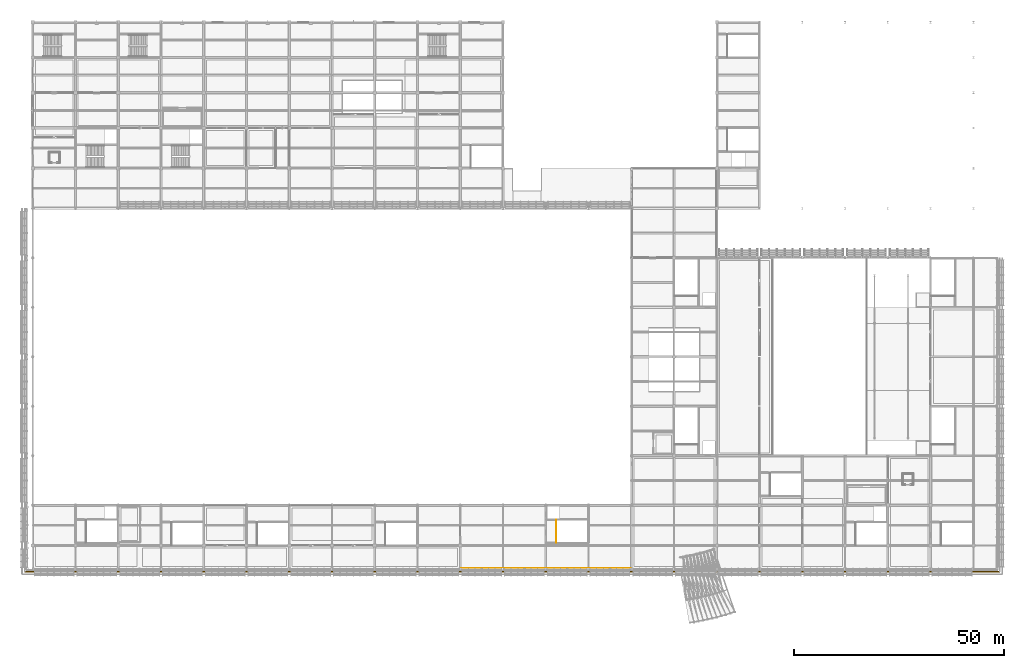
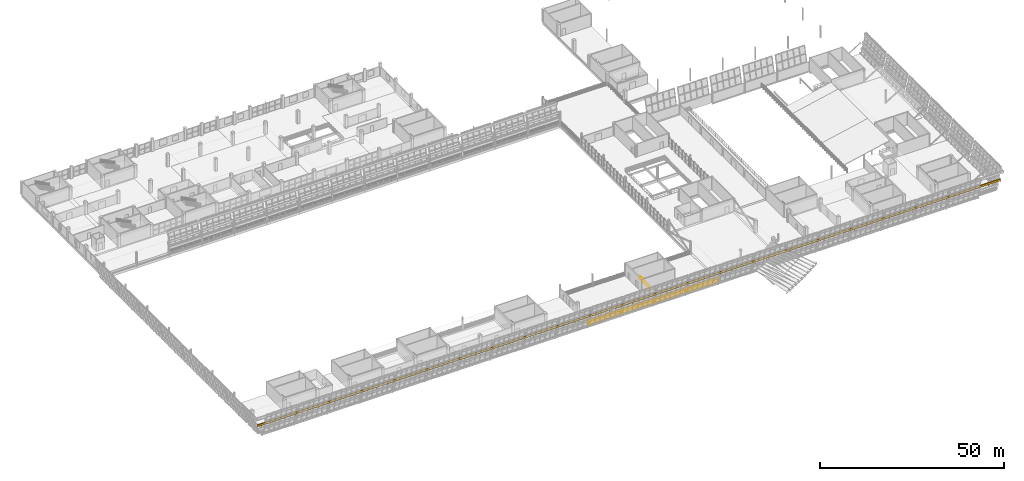
# One storey, part 147 of 157: 3 railings.
"""IFC4 building model written with IfcOpenShell, lengths in metres."""

from ifc_helpers import new_model, si_unit, direction, frame, origin, origin_2d, place, context, subcontext, project, spatial, rectangle, circle, extrude, material, type_object, element, save


model = new_model("IFC4")

# Units and contexts
model_context = context("Model", 3, precision=1e-05, world=origin(), true_north=direction((0.0, 1.0)))
body_context = subcontext(model_context, "Body", "Model", "MODEL_VIEW")
ifc_project = project(units=[si_unit("LENGTHUNIT", "METRE"), si_unit("AREAUNIT", "SQUARE_METRE"), si_unit("VOLUMEUNIT", "CUBIC_METRE"), si_unit("PLANEANGLEUNIT", "RADIAN"), si_unit("MASSUNIT", "GRAM", prefix="KILO")], contexts=[model_context])

# Site, building, storey
site_placement = place(None, origin())
site = spatial("IfcSite", under=ifc_project, at=site_placement, CompositionType="ELEMENT")
building_placement = place(site_placement, origin())
building = spatial("IfcBuilding", under=site, at=building_placement, Name="Brelvane Convention Centre", CompositionType="ELEMENT")
storey_placement = place(building_placement, frame((0.0, 0.0, 10.800048828125)))
storey = spatial("IfcBuildingStorey", under=building, at=storey_placement, Name="L02", CompositionType="ELEMENT", Elevation=10.800048828125)

# Railings
ifc_material_1 = material(Name="Steel E350 (350 MPa)", Category="steel")
railing_type_1 = type_object("IfcRailingType", Name="Railing BL-CU-1", PredefinedType="BALUSTRADE", material=ifc_material_1)
railing_1_placement = place(storey_placement, frame((-1.902099609375, 12.93798828125, 2.64990234375)))
element("IfcRailing", 1, at=railing_1_placement, inside=storey, type_object=railing_type_1, Name="Railing BL-CU-1 L02-cu_hull_s_5", PredefinedType="BALUSTRADE", context=body_context, shape_type="SweptSolid", body=[
    extrude(rectangle(XDim=0.280029296875, YDim=0.6201171875, at=origin_2d()), frame((0.0, 0.0, 0.81005859375), z_axis=(1.0, 0.0, 0.0), x_axis=(0.0, 1.0, 0.0)), (0.0, 0.0, 1.0), 232.564208984375),
    extrude(circle(Radius=0.02099609375, at=origin_2d()), origin(), (0.0, 0.0, 1.0), 1.072021484375),
    extrude(circle(Radius=0.02099609375, at=origin_2d()), frame((1.19873046875, 0.0, 0.0)), (0.0, 0.0, 1.0), 1.072021484375),
    extrude(circle(Radius=0.02099609375, at=origin_2d()), frame((2.3974609375, 0.0, 0.0)), (0.0, 0.0, 1.0), 1.072021484375),
    extrude(circle(Radius=0.02099609375, at=origin_2d()), frame((3.596435546875, 0.0, 0.0)), (0.0, 0.0, 1.0), 1.072021484375),
    extrude(circle(Radius=0.02099609375, at=origin_2d()), frame((4.795166015625, 0.0, 0.0)), (0.0, 0.0, 1.0), 1.072021484375),
    extrude(circle(Radius=0.02099609375, at=origin_2d()), frame((5.993896484375, 0.0, 0.0)), (0.0, 0.0, 1.0), 1.072021484375),
    extrude(circle(Radius=0.02099609375, at=origin_2d()), frame((7.192626953125, 0.0, 0.0)), (0.0, 0.0, 1.0), 1.072021484375),
    extrude(circle(Radius=0.02099609375, at=origin_2d()), frame((8.3916015625, 0.0, 0.0)), (0.0, 0.0, 1.0), 1.072021484375),
    extrude(circle(Radius=0.02099609375, at=origin_2d()), frame((9.59033203125, 0.0, 0.0)), (0.0, 0.0, 1.0), 1.072021484375),
    extrude(circle(Radius=0.02099609375, at=origin_2d()), frame((10.7890625, 0.0, 0.0)), (0.0, 0.0, 1.0), 1.072021484375),
    extrude(circle(Radius=0.02099609375, at=origin_2d()), frame((11.98779296875, 0.0, 0.0)), (0.0, 0.0, 1.0), 1.072021484375),
    extrude(circle(Radius=0.02099609375, at=origin_2d()), frame((13.1865234375, 0.0, 0.0)), (0.0, 0.0, 1.0), 1.072021484375),
    extrude(circle(Radius=0.02099609375, at=origin_2d()), frame((14.385498046875, 0.0, 0.0)), (0.0, 0.0, 1.0), 1.072021484375),
    extrude(circle(Radius=0.02099609375, at=origin_2d()), frame((15.584228515625, 0.0, 0.0)), (0.0, 0.0, 1.0), 1.072021484375),
    extrude(circle(Radius=0.02099609375, at=origin_2d()), frame((16.782958984375, 0.0, 0.0)), (0.0, 0.0, 1.0), 1.072021484375),
    extrude(circle(Radius=0.02099609375, at=origin_2d()), frame((17.981689453125, 0.0, 0.0)), (0.0, 0.0, 1.0), 1.072021484375),
    extrude(circle(Radius=0.02099609375, at=origin_2d()), frame((19.1806640625, 0.0, 0.0)), (0.0, 0.0, 1.0), 1.072021484375),
    extrude(circle(Radius=0.02099609375, at=origin_2d()), frame((20.37939453125, 0.0, 0.0)), (0.0, 0.0, 1.0), 1.072021484375),
    extrude(circle(Radius=0.02099609375, at=origin_2d()), frame((21.578125, 0.0, 0.0)), (0.0, 0.0, 1.0), 1.072021484375),
    extrude(circle(Radius=0.02099609375, at=origin_2d()), frame((22.77685546875, 0.0, 0.0)), (0.0, 0.0, 1.0), 1.072021484375),
    extrude(circle(Radius=0.02099609375, at=origin_2d()), frame((23.9755859375, 0.0, 0.0)), (0.0, 0.0, 1.0), 1.072021484375),
    extrude(circle(Radius=0.02099609375, at=origin_2d()), frame((25.174560546875, 0.0, 0.0)), (0.0, 0.0, 1.0), 1.072021484375),
    extrude(circle(Radius=0.02099609375, at=origin_2d()), frame((26.373291015625, 0.0, 0.0)), (0.0, 0.0, 1.0), 1.072021484375),
    extrude(circle(Radius=0.02099609375, at=origin_2d()), frame((27.572021484375, 0.0, 0.0)), (0.0, 0.0, 1.0), 1.072021484375),
    extrude(circle(Radius=0.02099609375, at=origin_2d()), frame((28.770751953125, 0.0, 0.0)), (0.0, 0.0, 1.0), 1.072021484375),
    extrude(circle(Radius=0.02099609375, at=origin_2d()), frame((29.9697265625, 0.0, 0.0)), (0.0, 0.0, 1.0), 1.072021484375),
    extrude(circle(Radius=0.02099609375, at=origin_2d()), frame((31.16845703125, 0.0, 0.0)), (0.0, 0.0, 1.0), 1.072021484375),
    extrude(circle(Radius=0.02099609375, at=origin_2d()), frame((32.3671875, 0.0, 0.0)), (0.0, 0.0, 1.0), 1.072021484375),
    extrude(circle(Radius=0.02099609375, at=origin_2d()), frame((33.56591796875, 0.0, 0.0)), (0.0, 0.0, 1.0), 1.072021484375),
    extrude(circle(Radius=0.02099609375, at=origin_2d()), frame((34.7646484375, 0.0, 0.0)), (0.0, 0.0, 1.0), 1.072021484375),
    extrude(circle(Radius=0.02099609375, at=origin_2d()), frame((35.963623046875, 0.0, 0.0)), (0.0, 0.0, 1.0), 1.072021484375),
    extrude(circle(Radius=0.02099609375, at=origin_2d()), frame((37.162353515625, 0.0, 0.0)), (0.0, 0.0, 1.0), 1.072021484375),
    extrude(circle(Radius=0.02099609375, at=origin_2d()), frame((38.361083984375, 0.0, 0.0)), (0.0, 0.0, 1.0), 1.072021484375),
    extrude(circle(Radius=0.02099609375, at=origin_2d()), frame((39.559814453125, 0.0, 0.0)), (0.0, 0.0, 1.0), 1.072021484375),
    extrude(circle(Radius=0.02099609375, at=origin_2d()), frame((40.7587890625, 0.0, 0.0)), (0.0, 0.0, 1.0), 1.072021484375),
    extrude(circle(Radius=0.02099609375, at=origin_2d()), frame((41.95751953125, 0.0, 0.0)), (0.0, 0.0, 1.0), 1.072021484375),
    extrude(circle(Radius=0.02099609375, at=origin_2d()), frame((43.15625, 0.0, 0.0)), (0.0, 0.0, 1.0), 1.072021484375),
    extrude(circle(Radius=0.02099609375, at=origin_2d()), frame((44.35498046875, 0.0, 0.0)), (0.0, 0.0, 1.0), 1.072021484375),
    extrude(circle(Radius=0.02099609375, at=origin_2d()), frame((45.5537109375, 0.0, 0.0)), (0.0, 0.0, 1.0), 1.072021484375),
    extrude(circle(Radius=0.02099609375, at=origin_2d()), frame((46.752685546875, 0.0, 0.0)), (0.0, 0.0, 1.0), 1.072021484375),
    extrude(circle(Radius=0.02099609375, at=origin_2d()), frame((47.951416015625, 0.0, 0.0)), (0.0, 0.0, 1.0), 1.072021484375),
    extrude(circle(Radius=0.02099609375, at=origin_2d()), frame((49.150146484375, 0.0, 0.0)), (0.0, 0.0, 1.0), 1.072021484375),
    extrude(circle(Radius=0.02099609375, at=origin_2d()), frame((50.348876953125, 0.0, 0.0)), (0.0, 0.0, 1.0), 1.072021484375),
    extrude(circle(Radius=0.02099609375, at=origin_2d()), frame((51.5478515625, 0.0, 0.0)), (0.0, 0.0, 1.0), 1.072021484375),
    extrude(circle(Radius=0.02099609375, at=origin_2d()), frame((52.74658203125, 0.0, 0.0)), (0.0, 0.0, 1.0), 1.072021484375),
    extrude(circle(Radius=0.02099609375, at=origin_2d()), frame((53.9453125, 0.0, 0.0)), (0.0, 0.0, 1.0), 1.072021484375),
    extrude(circle(Radius=0.02099609375, at=origin_2d()), frame((55.14404296875, 0.0, 0.0)), (0.0, 0.0, 1.0), 1.072021484375),
    extrude(circle(Radius=0.02099609375, at=origin_2d()), frame((56.3427734375, 0.0, 0.0)), (0.0, 0.0, 1.0), 1.072021484375),
    extrude(circle(Radius=0.02099609375, at=origin_2d()), frame((57.541748046875, 0.0, 0.0)), (0.0, 0.0, 1.0), 1.072021484375),
    extrude(circle(Radius=0.02099609375, at=origin_2d()), frame((58.740478515625, 0.0, 0.0)), (0.0, 0.0, 1.0), 1.072021484375),
    extrude(circle(Radius=0.02099609375, at=origin_2d()), frame((59.939208984375, 0.0, 0.0)), (0.0, 0.0, 1.0), 1.072021484375),
    extrude(circle(Radius=0.02099609375, at=origin_2d()), frame((61.137939453125, 0.0, 0.0)), (0.0, 0.0, 1.0), 1.072021484375),
    extrude(circle(Radius=0.02099609375, at=origin_2d()), frame((62.3369140625, 0.0, 0.0)), (0.0, 0.0, 1.0), 1.072021484375),
    extrude(circle(Radius=0.02099609375, at=origin_2d()), frame((63.53564453125, 0.0, 0.0)), (0.0, 0.0, 1.0), 1.072021484375),
    extrude(circle(Radius=0.02099609375, at=origin_2d()), frame((64.734375, 0.0, 0.0)), (0.0, 0.0, 1.0), 1.072021484375),
    extrude(circle(Radius=0.02099609375, at=origin_2d()), frame((65.93310546875, 0.0, 0.0)), (0.0, 0.0, 1.0), 1.072021484375),
    extrude(circle(Radius=0.02099609375, at=origin_2d()), frame((67.1318359375, 0.0, 0.0)), (0.0, 0.0, 1.0), 1.072021484375),
    extrude(circle(Radius=0.02099609375, at=origin_2d()), frame((68.330810546875, 0.0, 0.0)), (0.0, 0.0, 1.0), 1.072021484375),
    extrude(circle(Radius=0.02099609375, at=origin_2d()), frame((69.529541015625, 0.0, 0.0)), (0.0, 0.0, 1.0), 1.072021484375),
    extrude(circle(Radius=0.02099609375, at=origin_2d()), frame((70.728271484375, 0.0, 0.0)), (0.0, 0.0, 1.0), 1.072021484375),
    extrude(circle(Radius=0.02099609375, at=origin_2d()), frame((71.927001953125, 0.0, 0.0)), (0.0, 0.0, 1.0), 1.072021484375),
    extrude(circle(Radius=0.02099609375, at=origin_2d()), frame((73.1259765625, 0.0, 0.0)), (0.0, 0.0, 1.0), 1.072021484375),
    extrude(circle(Radius=0.02099609375, at=origin_2d()), frame((74.32470703125, 0.0, 0.0)), (0.0, 0.0, 1.0), 1.072021484375),
    extrude(circle(Radius=0.02099609375, at=origin_2d()), frame((75.5234375, 0.0, 0.0)), (0.0, 0.0, 1.0), 1.072021484375),
    extrude(circle(Radius=0.02099609375, at=origin_2d()), frame((76.72216796875, 0.0, 0.0)), (0.0, 0.0, 1.0), 1.072021484375),
    extrude(circle(Radius=0.02099609375, at=origin_2d()), frame((77.9208984375, 0.0, 0.0)), (0.0, 0.0, 1.0), 1.072021484375),
    extrude(circle(Radius=0.02099609375, at=origin_2d()), frame((79.119873046875, 0.0, 0.0)), (0.0, 0.0, 1.0), 1.072021484375),
    extrude(circle(Radius=0.02099609375, at=origin_2d()), frame((80.318603515625, 0.0, 0.0)), (0.0, 0.0, 1.0), 1.072021484375),
    extrude(circle(Radius=0.02099609375, at=origin_2d()), frame((81.517333984375, 0.0, 0.0)), (0.0, 0.0, 1.0), 1.072021484375),
    extrude(circle(Radius=0.02099609375, at=origin_2d()), frame((82.716064453125, 0.0, 0.0)), (0.0, 0.0, 1.0), 1.072021484375),
    extrude(circle(Radius=0.02099609375, at=origin_2d()), frame((83.9150390625, 0.0, 0.0)), (0.0, 0.0, 1.0), 1.072021484375),
    extrude(circle(Radius=0.02099609375, at=origin_2d()), frame((85.11376953125, 0.0, 0.0)), (0.0, 0.0, 1.0), 1.072021484375),
    extrude(circle(Radius=0.02099609375, at=origin_2d()), frame((86.3125, 0.0, 0.0)), (0.0, 0.0, 1.0), 1.072021484375),
    extrude(circle(Radius=0.02099609375, at=origin_2d()), frame((87.51123046875, 0.0, 0.0)), (0.0, 0.0, 1.0), 1.072021484375),
    extrude(circle(Radius=0.02099609375, at=origin_2d()), frame((88.7099609375, 0.0, 0.0)), (0.0, 0.0, 1.0), 1.072021484375),
    extrude(circle(Radius=0.02099609375, at=origin_2d()), frame((89.908935546875, 0.0, 0.0)), (0.0, 0.0, 1.0), 1.072021484375),
    extrude(circle(Radius=0.02099609375, at=origin_2d()), frame((91.107666015625, 0.0, 0.0)), (0.0, 0.0, 1.0), 1.072021484375),
    extrude(circle(Radius=0.02099609375, at=origin_2d()), frame((92.306396484375, 0.0, 0.0)), (0.0, 0.0, 1.0), 1.072021484375),
    extrude(circle(Radius=0.02099609375, at=origin_2d()), frame((93.505126953125, 0.0, 0.0)), (0.0, 0.0, 1.0), 1.072021484375),
    extrude(circle(Radius=0.02099609375, at=origin_2d()), frame((94.7041015625, 0.0, 0.0)), (0.0, 0.0, 1.0), 1.072021484375),
    extrude(circle(Radius=0.02099609375, at=origin_2d()), frame((95.90283203125, 0.0, 0.0)), (0.0, 0.0, 1.0), 1.072021484375),
    extrude(circle(Radius=0.02099609375, at=origin_2d()), frame((97.1015625, 0.0, 0.0)), (0.0, 0.0, 1.0), 1.072021484375),
    extrude(circle(Radius=0.02099609375, at=origin_2d()), frame((98.30029296875, 0.0, 0.0)), (0.0, 0.0, 1.0), 1.072021484375),
    extrude(circle(Radius=0.02099609375, at=origin_2d()), frame((99.4990234375, 0.0, 0.0)), (0.0, 0.0, 1.0), 1.072021484375),
    extrude(circle(Radius=0.02099609375, at=origin_2d()), frame((100.697998046875, 0.0, 0.0)), (0.0, 0.0, 1.0), 1.072021484375),
    extrude(circle(Radius=0.02099609375, at=origin_2d()), frame((101.896728515625, 0.0, 0.0)), (0.0, 0.0, 1.0), 1.072021484375),
    extrude(circle(Radius=0.02099609375, at=origin_2d()), frame((103.095458984375, 0.0, 0.0)), (0.0, 0.0, 1.0), 1.072021484375),
    extrude(circle(Radius=0.02099609375, at=origin_2d()), frame((104.294189453125, 0.0, 0.0)), (0.0, 0.0, 1.0), 1.072021484375),
    extrude(circle(Radius=0.02099609375, at=origin_2d()), frame((105.4931640625, 0.0, 0.0)), (0.0, 0.0, 1.0), 1.072021484375),
    extrude(circle(Radius=0.02099609375, at=origin_2d()), frame((106.69189453125, 0.0, 0.0)), (0.0, 0.0, 1.0), 1.072021484375),
    extrude(circle(Radius=0.02099609375, at=origin_2d()), frame((107.890625, 0.0, 0.0)), (0.0, 0.0, 1.0), 1.072021484375),
    extrude(circle(Radius=0.02099609375, at=origin_2d()), frame((109.08935546875, 0.0, 0.0)), (0.0, 0.0, 1.0), 1.072021484375),
    extrude(circle(Radius=0.02099609375, at=origin_2d()), frame((110.2880859375, 0.0, 0.0)), (0.0, 0.0, 1.0), 1.072021484375),
    extrude(circle(Radius=0.02099609375, at=origin_2d()), frame((111.487060546875, 0.0, 0.0)), (0.0, 0.0, 1.0), 1.072021484375),
    extrude(circle(Radius=0.02099609375, at=origin_2d()), frame((112.685791015625, 0.0, 0.0)), (0.0, 0.0, 1.0), 1.072021484375),
    extrude(circle(Radius=0.02099609375, at=origin_2d()), frame((113.884521484375, 0.0, 0.0)), (0.0, 0.0, 1.0), 1.072021484375),
    extrude(circle(Radius=0.02099609375, at=origin_2d()), frame((115.083251953125, 0.0, 0.0)), (0.0, 0.0, 1.0), 1.072021484375),
    extrude(circle(Radius=0.02099609375, at=origin_2d()), frame((116.2822265625, 0.0, 0.0)), (0.0, 0.0, 1.0), 1.072021484375),
    extrude(circle(Radius=0.02099609375, at=origin_2d()), frame((117.48095703125, 0.0, 0.0)), (0.0, 0.0, 1.0), 1.072021484375),
    extrude(circle(Radius=0.02099609375, at=origin_2d()), frame((118.6796875, 0.0, 0.0)), (0.0, 0.0, 1.0), 1.072021484375),
    extrude(circle(Radius=0.02099609375, at=origin_2d()), frame((119.87841796875, 0.0, 0.0)), (0.0, 0.0, 1.0), 1.072021484375),
    extrude(circle(Radius=0.02099609375, at=origin_2d()), frame((121.0771484375, 0.0, 0.0)), (0.0, 0.0, 1.0), 1.072021484375),
    extrude(circle(Radius=0.02099609375, at=origin_2d()), frame((122.276123046875, 0.0, 0.0)), (0.0, 0.0, 1.0), 1.072021484375),
    extrude(circle(Radius=0.02099609375, at=origin_2d()), frame((123.474853515625, 0.0, 0.0)), (0.0, 0.0, 1.0), 1.072021484375),
    extrude(circle(Radius=0.02099609375, at=origin_2d()), frame((124.673583984375, 0.0, 0.0)), (0.0, 0.0, 1.0), 1.072021484375),
    extrude(circle(Radius=0.02099609375, at=origin_2d()), frame((125.872314453125, 0.0, 0.0)), (0.0, 0.0, 1.0), 1.072021484375),
    extrude(circle(Radius=0.02099609375, at=origin_2d()), frame((127.071044921875, 0.0, 0.0)), (0.0, 0.0, 1.0), 1.072021484375),
    extrude(circle(Radius=0.02099609375, at=origin_2d()), frame((128.27001953125, 0.0, 0.0)), (0.0, 0.0, 1.0), 1.072021484375),
    extrude(circle(Radius=0.02099609375, at=origin_2d()), frame((129.46875, 0.0, 0.0)), (0.0, 0.0, 1.0), 1.072021484375),
    extrude(circle(Radius=0.02099609375, at=origin_2d()), frame((130.66748046875, 0.0, 0.0)), (0.0, 0.0, 1.0), 1.072021484375),
    extrude(circle(Radius=0.02099609375, at=origin_2d()), frame((131.8662109375, 0.0, 0.0)), (0.0, 0.0, 1.0), 1.072021484375),
    extrude(circle(Radius=0.02099609375, at=origin_2d()), frame((133.065185546875, 0.0, 0.0)), (0.0, 0.0, 1.0), 1.072021484375),
    extrude(circle(Radius=0.02099609375, at=origin_2d()), frame((134.263916015625, 0.0, 0.0)), (0.0, 0.0, 1.0), 1.072021484375),
    extrude(circle(Radius=0.02099609375, at=origin_2d()), frame((135.462646484375, 0.0, 0.0)), (0.0, 0.0, 1.0), 1.072021484375),
    extrude(circle(Radius=0.02099609375, at=origin_2d()), frame((136.661376953125, 0.0, 0.0)), (0.0, 0.0, 1.0), 1.072021484375),
    extrude(circle(Radius=0.02099609375, at=origin_2d()), frame((137.860107421875, 0.0, 0.0)), (0.0, 0.0, 1.0), 1.072021484375),
    extrude(circle(Radius=0.02099609375, at=origin_2d()), frame((139.05908203125, 0.0, 0.0)), (0.0, 0.0, 1.0), 1.072021484375),
    extrude(circle(Radius=0.02099609375, at=origin_2d()), frame((140.2578125, 0.0, 0.0)), (0.0, 0.0, 1.0), 1.072021484375),
    extrude(circle(Radius=0.02099609375, at=origin_2d()), frame((141.45654296875, 0.0, 0.0)), (0.0, 0.0, 1.0), 1.072021484375),
    extrude(circle(Radius=0.02099609375, at=origin_2d()), frame((142.6552734375, 0.0, 0.0)), (0.0, 0.0, 1.0), 1.072021484375),
    extrude(circle(Radius=0.02099609375, at=origin_2d()), frame((143.854248046875, 0.0, 0.0)), (0.0, 0.0, 1.0), 1.072021484375),
    extrude(circle(Radius=0.02099609375, at=origin_2d()), frame((145.052978515625, 0.0, 0.0)), (0.0, 0.0, 1.0), 1.072021484375),
    extrude(circle(Radius=0.02099609375, at=origin_2d()), frame((146.251708984375, 0.0, 0.0)), (0.0, 0.0, 1.0), 1.072021484375),
    extrude(circle(Radius=0.02099609375, at=origin_2d()), frame((147.450439453125, 0.0, 0.0)), (0.0, 0.0, 1.0), 1.072021484375),
    extrude(circle(Radius=0.02099609375, at=origin_2d()), frame((148.649169921875, 0.0, 0.0)), (0.0, 0.0, 1.0), 1.072021484375),
    extrude(circle(Radius=0.02099609375, at=origin_2d()), frame((149.84814453125, 0.0, 0.0)), (0.0, 0.0, 1.0), 1.072021484375),
    extrude(circle(Radius=0.02099609375, at=origin_2d()), frame((151.046875, 0.0, 0.0)), (0.0, 0.0, 1.0), 1.072021484375),
    extrude(circle(Radius=0.02099609375, at=origin_2d()), frame((152.24560546875, 0.0, 0.0)), (0.0, 0.0, 1.0), 1.072021484375),
    extrude(circle(Radius=0.02099609375, at=origin_2d()), frame((153.4443359375, 0.0, 0.0)), (0.0, 0.0, 1.0), 1.072021484375),
    extrude(circle(Radius=0.02099609375, at=origin_2d()), frame((154.643310546875, 0.0, 0.0)), (0.0, 0.0, 1.0), 1.072021484375),
    extrude(circle(Radius=0.02099609375, at=origin_2d()), frame((155.842041015625, 0.0, 0.0)), (0.0, 0.0, 1.0), 1.072021484375),
    extrude(circle(Radius=0.02099609375, at=origin_2d()), frame((157.040771484375, 0.0, 0.0)), (0.0, 0.0, 1.0), 1.072021484375),
    extrude(circle(Radius=0.02099609375, at=origin_2d()), frame((158.239501953125, 0.0, 0.0)), (0.0, 0.0, 1.0), 1.072021484375),
    extrude(circle(Radius=0.02099609375, at=origin_2d()), frame((159.438232421875, 0.0, 0.0)), (0.0, 0.0, 1.0), 1.072021484375),
    extrude(circle(Radius=0.02099609375, at=origin_2d()), frame((160.63720703125, 0.0, 0.0)), (0.0, 0.0, 1.0), 1.072021484375),
    extrude(circle(Radius=0.02099609375, at=origin_2d()), frame((161.8359375, 0.0, 0.0)), (0.0, 0.0, 1.0), 1.072021484375),
    extrude(circle(Radius=0.02099609375, at=origin_2d()), frame((163.03466796875, 0.0, 0.0)), (0.0, 0.0, 1.0), 1.072021484375),
    extrude(circle(Radius=0.02099609375, at=origin_2d()), frame((164.2333984375, 0.0, 0.0)), (0.0, 0.0, 1.0), 1.072021484375),
    extrude(circle(Radius=0.02099609375, at=origin_2d()), frame((165.432373046875, 0.0, 0.0)), (0.0, 0.0, 1.0), 1.072021484375),
    extrude(circle(Radius=0.02099609375, at=origin_2d()), frame((166.631103515625, 0.0, 0.0)), (0.0, 0.0, 1.0), 1.072021484375),
    extrude(circle(Radius=0.02099609375, at=origin_2d()), frame((167.829833984375, 0.0, 0.0)), (0.0, 0.0, 1.0), 1.072021484375),
    extrude(circle(Radius=0.02099609375, at=origin_2d()), frame((169.028564453125, 0.0, 0.0)), (0.0, 0.0, 1.0), 1.072021484375),
    extrude(circle(Radius=0.02099609375, at=origin_2d()), frame((170.227294921875, 0.0, 0.0)), (0.0, 0.0, 1.0), 1.072021484375),
    extrude(circle(Radius=0.02099609375, at=origin_2d()), frame((171.42626953125, 0.0, 0.0)), (0.0, 0.0, 1.0), 1.072021484375),
    extrude(circle(Radius=0.02099609375, at=origin_2d()), frame((172.625, 0.0, 0.0)), (0.0, 0.0, 1.0), 1.072021484375),
    extrude(circle(Radius=0.02099609375, at=origin_2d()), frame((173.82373046875, 0.0, 0.0)), (0.0, 0.0, 1.0), 1.072021484375),
    extrude(circle(Radius=0.02099609375, at=origin_2d()), frame((175.0224609375, 0.0, 0.0)), (0.0, 0.0, 1.0), 1.072021484375),
    extrude(circle(Radius=0.02099609375, at=origin_2d()), frame((176.221435546875, 0.0, 0.0)), (0.0, 0.0, 1.0), 1.072021484375),
    extrude(circle(Radius=0.02099609375, at=origin_2d()), frame((177.420166015625, 0.0, 0.0)), (0.0, 0.0, 1.0), 1.072021484375),
    extrude(circle(Radius=0.02099609375, at=origin_2d()), frame((178.618896484375, 0.0, 0.0)), (0.0, 0.0, 1.0), 1.072021484375),
    extrude(circle(Radius=0.02099609375, at=origin_2d()), frame((179.817626953125, 0.0, 0.0)), (0.0, 0.0, 1.0), 1.072021484375),
    extrude(circle(Radius=0.02099609375, at=origin_2d()), frame((181.016357421875, 0.0, 0.0)), (0.0, 0.0, 1.0), 1.072021484375),
    extrude(circle(Radius=0.02099609375, at=origin_2d()), frame((182.21533203125, 0.0, 0.0)), (0.0, 0.0, 1.0), 1.072021484375),
    extrude(circle(Radius=0.02099609375, at=origin_2d()), frame((183.4140625, 0.0, 0.0)), (0.0, 0.0, 1.0), 1.072021484375),
    extrude(circle(Radius=0.02099609375, at=origin_2d()), frame((184.61279296875, 0.0, 0.0)), (0.0, 0.0, 1.0), 1.072021484375),
    extrude(circle(Radius=0.02099609375, at=origin_2d()), frame((185.8115234375, 0.0, 0.0)), (0.0, 0.0, 1.0), 1.072021484375),
    extrude(circle(Radius=0.02099609375, at=origin_2d()), frame((187.010498046875, 0.0, 0.0)), (0.0, 0.0, 1.0), 1.072021484375),
    extrude(circle(Radius=0.02099609375, at=origin_2d()), frame((188.209228515625, 0.0, 0.0)), (0.0, 0.0, 1.0), 1.072021484375),
    extrude(circle(Radius=0.02099609375, at=origin_2d()), frame((189.407958984375, 0.0, 0.0)), (0.0, 0.0, 1.0), 1.072021484375),
    extrude(circle(Radius=0.02099609375, at=origin_2d()), frame((190.606689453125, 0.0, 0.0)), (0.0, 0.0, 1.0), 1.072021484375),
    extrude(circle(Radius=0.02099609375, at=origin_2d()), frame((191.805419921875, 0.0, 0.0)), (0.0, 0.0, 1.0), 1.072021484375),
    extrude(circle(Radius=0.02099609375, at=origin_2d()), frame((193.00439453125, 0.0, 0.0)), (0.0, 0.0, 1.0), 1.072021484375),
    extrude(circle(Radius=0.02099609375, at=origin_2d()), frame((194.203125, 0.0, 0.0)), (0.0, 0.0, 1.0), 1.072021484375),
    extrude(circle(Radius=0.02099609375, at=origin_2d()), frame((195.40185546875, 0.0, 0.0)), (0.0, 0.0, 1.0), 1.072021484375),
    extrude(circle(Radius=0.02099609375, at=origin_2d()), frame((196.6005859375, 0.0, 0.0)), (0.0, 0.0, 1.0), 1.072021484375),
    extrude(circle(Radius=0.02099609375, at=origin_2d()), frame((197.799560546875, 0.0, 0.0)), (0.0, 0.0, 1.0), 1.072021484375),
    extrude(circle(Radius=0.02099609375, at=origin_2d()), frame((198.998291015625, 0.0, 0.0)), (0.0, 0.0, 1.0), 1.072021484375),
    extrude(circle(Radius=0.02099609375, at=origin_2d()), frame((200.197021484375, 0.0, 0.0)), (0.0, 0.0, 1.0), 1.072021484375),
    extrude(circle(Radius=0.02099609375, at=origin_2d()), frame((201.395751953125, 0.0, 0.0)), (0.0, 0.0, 1.0), 1.072021484375),
    extrude(circle(Radius=0.02099609375, at=origin_2d()), frame((202.594482421875, 0.0, 0.0)), (0.0, 0.0, 1.0), 1.072021484375),
    extrude(circle(Radius=0.02099609375, at=origin_2d()), frame((203.79345703125, 0.0, 0.0)), (0.0, 0.0, 1.0), 1.072021484375),
    extrude(circle(Radius=0.02099609375, at=origin_2d()), frame((204.9921875, 0.0, 0.0)), (0.0, 0.0, 1.0), 1.072021484375),
    extrude(circle(Radius=0.02099609375, at=origin_2d()), frame((206.19091796875, 0.0, 0.0)), (0.0, 0.0, 1.0), 1.072021484375),
    extrude(circle(Radius=0.02099609375, at=origin_2d()), frame((207.3896484375, 0.0, 0.0)), (0.0, 0.0, 1.0), 1.072021484375),
    extrude(circle(Radius=0.02099609375, at=origin_2d()), frame((208.588623046875, 0.0, 0.0)), (0.0, 0.0, 1.0), 1.072021484375),
    extrude(circle(Radius=0.02099609375, at=origin_2d()), frame((209.787353515625, 0.0, 0.0)), (0.0, 0.0, 1.0), 1.072021484375),
    extrude(circle(Radius=0.02099609375, at=origin_2d()), frame((210.986083984375, 0.0, 0.0)), (0.0, 0.0, 1.0), 1.072021484375),
    extrude(circle(Radius=0.02099609375, at=origin_2d()), frame((212.184814453125, 0.0, 0.0)), (0.0, 0.0, 1.0), 1.072021484375),
    extrude(circle(Radius=0.02099609375, at=origin_2d()), frame((213.383544921875, 0.0, 0.0)), (0.0, 0.0, 1.0), 1.072021484375),
    extrude(circle(Radius=0.02099609375, at=origin_2d()), frame((214.58251953125, 0.0, 0.0)), (0.0, 0.0, 1.0), 1.072021484375),
    extrude(circle(Radius=0.02099609375, at=origin_2d()), frame((215.78125, 0.0, 0.0)), (0.0, 0.0, 1.0), 1.072021484375),
    extrude(circle(Radius=0.02099609375, at=origin_2d()), frame((216.97998046875, 0.0, 0.0)), (0.0, 0.0, 1.0), 1.072021484375),
    extrude(circle(Radius=0.02099609375, at=origin_2d()), frame((218.1787109375, 0.0, 0.0)), (0.0, 0.0, 1.0), 1.072021484375),
    extrude(circle(Radius=0.02099609375, at=origin_2d()), frame((219.377685546875, 0.0, 0.0)), (0.0, 0.0, 1.0), 1.072021484375),
    extrude(circle(Radius=0.02099609375, at=origin_2d()), frame((220.576416015625, 0.0, 0.0)), (0.0, 0.0, 1.0), 1.072021484375),
    extrude(circle(Radius=0.02099609375, at=origin_2d()), frame((221.775146484375, 0.0, 0.0)), (0.0, 0.0, 1.0), 1.072021484375),
    extrude(circle(Radius=0.02099609375, at=origin_2d()), frame((222.973876953125, 0.0, 0.0)), (0.0, 0.0, 1.0), 1.072021484375),
    extrude(circle(Radius=0.02099609375, at=origin_2d()), frame((224.172607421875, 0.0, 0.0)), (0.0, 0.0, 1.0), 1.072021484375),
    extrude(circle(Radius=0.02099609375, at=origin_2d()), frame((225.37158203125, 0.0, 0.0)), (0.0, 0.0, 1.0), 1.072021484375),
    extrude(circle(Radius=0.02099609375, at=origin_2d()), frame((226.5703125, 0.0, 0.0)), (0.0, 0.0, 1.0), 1.072021484375),
    extrude(circle(Radius=0.02099609375, at=origin_2d()), frame((227.76904296875, 0.0, 0.0)), (0.0, 0.0, 1.0), 1.072021484375),
    extrude(circle(Radius=0.02099609375, at=origin_2d()), frame((228.9677734375, 0.0, 0.0)), (0.0, 0.0, 1.0), 1.072021484375),
    extrude(circle(Radius=0.02099609375, at=origin_2d()), frame((230.166748046875, 0.0, 0.0)), (0.0, 0.0, 1.0), 1.072021484375),
    extrude(circle(Radius=0.02099609375, at=origin_2d()), frame((231.365478515625, 0.0, 0.0)), (0.0, 0.0, 1.0), 1.072021484375),
    extrude(circle(Radius=0.02099609375, at=origin_2d()), frame((232.564208984375, 0.0, 0.0)), (0.0, 0.0, 1.0), 1.072021484375),
])
ifc_material_2 = material(Name="Steel E350 (350 MPa)", Category="steel")
railing_type_2 = type_object("IfcRailingType", Name="Railing GR-EXT-1", PredefinedType="GUARDRAIL", material=ifc_material_2)
railing_2_placement = place(storey_placement, frame((102.199951171875, 13.75, 0.0)))
element("IfcRailing", 2, at=railing_2_placement, inside=storey, type_object=railing_type_2, Name="Railing GR-EXT-1 L02-rg_conc_s", PredefinedType="GUARDRAIL", context=body_context, shape_type="SweptSolid", body=[
    extrude(circle(Radius=0.02392578125, at=origin_2d()), frame((0.0, 0.0, 1.1259765625), z_axis=(1.0, 0.0, 0.0), x_axis=(0.0, 1.0, 0.0)), (0.0, 0.0, 1.0), 40.400146484375),
    extrude(circle(Radius=0.02392578125, at=origin_2d()), frame((0.0, 0.0, 0.597900390625), z_axis=(1.0, 0.0, 0.0), x_axis=(0.0, 1.0, 0.0)), (0.0, 0.0, 1.0), 40.400146484375),
    extrude(circle(Radius=0.02392578125, at=origin_2d()), frame((0.0, 0.0, 0.139892578125), z_axis=(1.0, 0.0, 0.0), x_axis=(0.0, 1.0, 0.0)), (0.0, 0.0, 1.0), 40.400146484375),
    extrude(circle(Radius=0.02099609375, at=origin_2d()), origin(), (0.0, 0.0, 1.0), 1.101806640625),
    extrude(circle(Radius=0.02099609375, at=origin_2d()), frame((1.188232421875, 0.0, 0.0)), (0.0, 0.0, 1.0), 1.101806640625),
    extrude(circle(Radius=0.02099609375, at=origin_2d()), frame((2.37646484375, 0.0, 0.0)), (0.0, 0.0, 1.0), 1.101806640625),
    extrude(circle(Radius=0.02099609375, at=origin_2d()), frame((3.564697265625, 0.0, 0.0)), (0.0, 0.0, 1.0), 1.101806640625),
    extrude(circle(Radius=0.02099609375, at=origin_2d()), frame((4.7529296875, 0.0, 0.0)), (0.0, 0.0, 1.0), 1.101806640625),
    extrude(circle(Radius=0.02099609375, at=origin_2d()), frame((5.941162109375, 0.0, 0.0)), (0.0, 0.0, 1.0), 1.101806640625),
    extrude(circle(Radius=0.02099609375, at=origin_2d()), frame((7.12939453125, 0.0, 0.0)), (0.0, 0.0, 1.0), 1.101806640625),
    extrude(circle(Radius=0.02099609375, at=origin_2d()), frame((8.317626953125, 0.0, 0.0)), (0.0, 0.0, 1.0), 1.101806640625),
    extrude(circle(Radius=0.02099609375, at=origin_2d()), frame((9.505859375, 0.0, 0.0)), (0.0, 0.0, 1.0), 1.101806640625),
    extrude(circle(Radius=0.02099609375, at=origin_2d()), frame((10.694091796875, 0.0, 0.0)), (0.0, 0.0, 1.0), 1.101806640625),
    extrude(circle(Radius=0.02099609375, at=origin_2d()), frame((11.88232421875, 0.0, 0.0)), (0.0, 0.0, 1.0), 1.101806640625),
    extrude(circle(Radius=0.02099609375, at=origin_2d()), frame((13.070556640625, 0.0, 0.0)), (0.0, 0.0, 1.0), 1.101806640625),
    extrude(circle(Radius=0.02099609375, at=origin_2d()), frame((14.2587890625, 0.0, 0.0)), (0.0, 0.0, 1.0), 1.101806640625),
    extrude(circle(Radius=0.02099609375, at=origin_2d()), frame((15.447021484375, 0.0, 0.0)), (0.0, 0.0, 1.0), 1.101806640625),
    extrude(circle(Radius=0.02099609375, at=origin_2d()), frame((16.63525390625, 0.0, 0.0)), (0.0, 0.0, 1.0), 1.101806640625),
    extrude(circle(Radius=0.02099609375, at=origin_2d()), frame((17.823486328125, 0.0, 0.0)), (0.0, 0.0, 1.0), 1.101806640625),
    extrude(circle(Radius=0.02099609375, at=origin_2d()), frame((19.01171875, 0.0, 0.0)), (0.0, 0.0, 1.0), 1.101806640625),
    extrude(circle(Radius=0.02099609375, at=origin_2d()), frame((20.2001953125, 0.0, 0.0)), (0.0, 0.0, 1.0), 1.101806640625),
    extrude(circle(Radius=0.02099609375, at=origin_2d()), frame((21.388427734375, 0.0, 0.0)), (0.0, 0.0, 1.0), 1.101806640625),
    extrude(circle(Radius=0.02099609375, at=origin_2d()), frame((22.57666015625, 0.0, 0.0)), (0.0, 0.0, 1.0), 1.101806640625),
    extrude(circle(Radius=0.02099609375, at=origin_2d()), frame((23.764892578125, 0.0, 0.0)), (0.0, 0.0, 1.0), 1.101806640625),
    extrude(circle(Radius=0.02099609375, at=origin_2d()), frame((24.953125, 0.0, 0.0)), (0.0, 0.0, 1.0), 1.101806640625),
    extrude(circle(Radius=0.02099609375, at=origin_2d()), frame((26.141357421875, 0.0, 0.0)), (0.0, 0.0, 1.0), 1.101806640625),
    extrude(circle(Radius=0.02099609375, at=origin_2d()), frame((27.32958984375, 0.0, 0.0)), (0.0, 0.0, 1.0), 1.101806640625),
    extrude(circle(Radius=0.02099609375, at=origin_2d()), frame((28.517822265625, 0.0, 0.0)), (0.0, 0.0, 1.0), 1.101806640625),
    extrude(circle(Radius=0.02099609375, at=origin_2d()), frame((29.7060546875, 0.0, 0.0)), (0.0, 0.0, 1.0), 1.101806640625),
    extrude(circle(Radius=0.02099609375, at=origin_2d()), frame((30.894287109375, 0.0, 0.0)), (0.0, 0.0, 1.0), 1.101806640625),
    extrude(circle(Radius=0.02099609375, at=origin_2d()), frame((32.08251953125, 0.0, 0.0)), (0.0, 0.0, 1.0), 1.101806640625),
    extrude(circle(Radius=0.02099609375, at=origin_2d()), frame((33.270751953125, 0.0, 0.0)), (0.0, 0.0, 1.0), 1.101806640625),
    extrude(circle(Radius=0.02099609375, at=origin_2d()), frame((34.458984375, 0.0, 0.0)), (0.0, 0.0, 1.0), 1.101806640625),
    extrude(circle(Radius=0.02099609375, at=origin_2d()), frame((35.647216796875, 0.0, 0.0)), (0.0, 0.0, 1.0), 1.101806640625),
    extrude(circle(Radius=0.02099609375, at=origin_2d()), frame((36.83544921875, 0.0, 0.0)), (0.0, 0.0, 1.0), 1.101806640625),
    extrude(circle(Radius=0.02099609375, at=origin_2d()), frame((38.023681640625, 0.0, 0.0)), (0.0, 0.0, 1.0), 1.101806640625),
    extrude(circle(Radius=0.02099609375, at=origin_2d()), frame((39.2119140625, 0.0, 0.0)), (0.0, 0.0, 1.0), 1.101806640625),
    extrude(circle(Radius=0.02099609375, at=origin_2d()), frame((40.400146484375, 0.0, 0.0)), (0.0, 0.0, 1.0), 1.101806640625),
])
ifc_material_3 = material(Name="Steel E350 (350 MPa)", Category="steel")
railing_type_3 = type_object("IfcRailingType", Name="Stair Railing GR-ST-2", PredefinedType="GUARDRAIL", material=ifc_material_3)
railing_3_placement = place(storey_placement, frame((124.889892578125, 19.919921875, -0.02001953125)))
element("IfcRailing", 3, at=railing_3_placement, inside=storey, type_object=railing_type_3, Name="Stair ST-02 L02 Top Well Guard", PredefinedType="GUARDRAIL", context=body_context, shape_type="SweptSolid", body=[
    extrude(circle(Radius=0.02392578125, at=origin_2d()), frame((0.0, 0.0, 1.15576171875), z_axis=(0.0, 1.0, 0.0), x_axis=(-1.0, 0.0, 0.0)), (0.0, 0.0, 1.0), 5.360107421875),
    extrude(circle(Radius=0.02392578125, at=origin_2d()), frame((0.0, 0.0, 0.613525390625), z_axis=(0.0, 1.0, 0.0), x_axis=(-1.0, 0.0, 0.0)), (0.0, 0.0, 1.0), 5.360107421875),
    extrude(circle(Radius=0.02392578125, at=origin_2d()), frame((0.0, 0.0, 0.139892578125), z_axis=(0.0, 1.0, 0.0), x_axis=(-1.0, 0.0, 0.0)), (0.0, 0.0, 1.0), 5.360107421875),
    extrude(circle(Radius=0.02099609375, at=origin_2d()), origin(), (0.0, 0.0, 1.0), 1.1318359375),
    extrude(circle(Radius=0.02099609375, at=origin_2d()), frame((0.0, 1.072021484375, 0.0)), (0.0, 0.0, 1.0), 1.1318359375),
    extrude(circle(Radius=0.02099609375, at=origin_2d()), frame((0.0, 2.14404296875, 0.0)), (0.0, 0.0, 1.0), 1.1318359375),
    extrude(circle(Radius=0.02099609375, at=origin_2d()), frame((0.0, 3.216064453125, 0.0)), (0.0, 0.0, 1.0), 1.1318359375),
    extrude(circle(Radius=0.02099609375, at=origin_2d()), frame((0.0, 4.2880859375, 0.0)), (0.0, 0.0, 1.0), 1.1318359375),
    extrude(circle(Radius=0.02099609375, at=origin_2d()), frame((0.0, 5.360107421875, 0.0)), (0.0, 0.0, 1.0), 1.1318359375),
])

save(model, "model.ifc")
